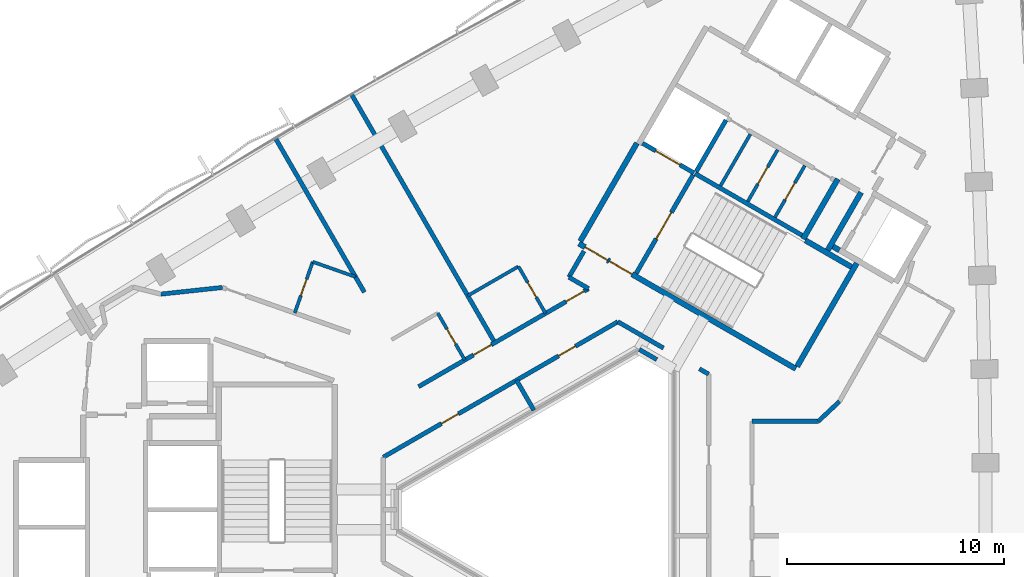
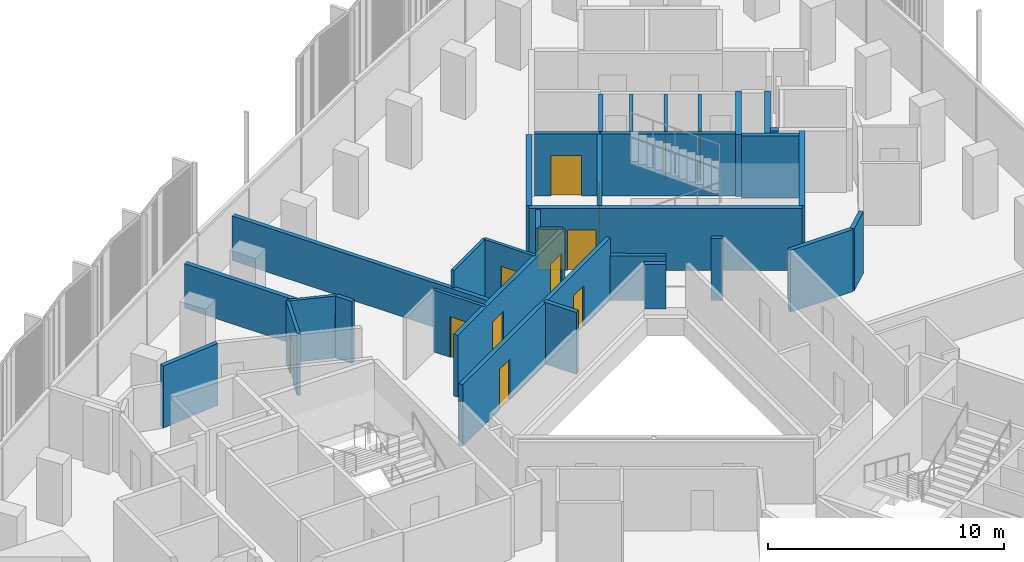
# One storey, part 10 of 14: 33 walls, 13 doors, 13 openings.
"""IFC4 building model written with IfcOpenShell, lengths in metres."""

from ifc_helpers import new_model, si_unit, direction, frame, frame_2d, origin, place, context, subcontext, project, spatial, rectangle, extrude, material, layer, layer_set, type_object, element, fill, save


model = new_model("IFC4")

# Units and contexts
model_context = context("Model", 3, precision=1e-05, world=origin(), true_north=direction((0.0, 1.0)))
body_context = subcontext(model_context, "Body", "Model", "MODEL_VIEW")
ifc_project = project(units=[si_unit("LENGTHUNIT", "METRE"), si_unit("AREAUNIT", "SQUARE_METRE"), si_unit("VOLUMEUNIT", "CUBIC_METRE"), si_unit("PLANEANGLEUNIT", "RADIAN"), si_unit("MASSUNIT", "GRAM", prefix="KILO")], contexts=[model_context])

# Site, building, storey
site_placement = place(None, origin())
site = spatial("IfcSite", under=ifc_project, at=site_placement, CompositionType="ELEMENT")
building_placement = place(site_placement, origin())
building = spatial("IfcBuilding", under=site, at=building_placement, Name="Tamra Quay Hotel Tower", CompositionType="ELEMENT")
storey_placement = place(building_placement, frame((0.0, 0.0, 150.39990234375)))
storey = spatial("IfcBuildingStorey", under=building, at=storey_placement, Name="L37", CompositionType="ELEMENT", Elevation=150.39990234375)

# Wall
ifc_material_1 = material(Name="Concrete M70", Category="concrete")
ifc_layer_1 = layer(ifc_material_1, 0.199951171875)
ifc_layer_set_1 = layer_set([ifc_layer_1], Name="Concrete M70 core wall 200")
wall_type_1 = type_object("IfcWallType", Name="Concrete M70 core wall 200", PredefinedType="SHEAR", material=ifc_layer_set_1)
wall_1_placement = place(storey_placement, frame((5.774658203125, 15.501953125, 0.0), z_axis=(0.0, 0.0, 1.0), x_axis=(0.866020080793, -0.500009219579, 0.0)))
element("IfcWall", 1, at=wall_1_placement, inside=storey, type_object=wall_type_1, Name="CW2", PredefinedType="SHEAR", context=body_context, shape_type="SweptSolid", body=[
    extrude(rectangle(XDim=5.69921875, YDim=0.199951171875, at=frame_2d((2.849609375, 0.0))), origin(), (0.0, 0.0, 1.0), 3.2001953125),
])

# Wall, opening, door
wall_2_placement = place(storey_placement, frame((3.056640625, 10.89453125, 0.0), z_axis=(0.0, 0.0, 1.0), x_axis=(0.499989418164, 0.866031513124, 0.0)))
wall_2 = element("IfcWall", 2, at=wall_2_placement, inside=storey, type_object=wall_type_1, Name="CW2", PredefinedType="SHEAR", context=body_context, shape_type="SweptSolid", body=[
    extrude(rectangle(XDim=5.2509765625, YDim=0.199951171875, at=frame_2d((2.62548828125, 0.0))), origin(), (0.0, 0.0, 1.0), 3.2001953125),
])
opening_1_placement = place(wall_2_placement, frame((1.84912109375, 0.0, 0.0)))
opening_1 = element("IfcOpeningElement", 3, at=opening_1_placement, cuts=wall_2, Name="Opening FD2", PredefinedType="OPENING", context=body_context, shape_type="SweptSolid", body=[
    extrude(rectangle(XDim=1.39990234375, YDim=2.10009765625, at=frame_2d((0.699951171875, 1.050048828125))), frame((0.0, 0.10986328125, 0.0), z_axis=(0.0, -1.0, 0.0), x_axis=(1.0, 0.0, 0.0)), (0.0, 0.0, 1.0), 0.219970703125),
])
ifc_material_2 = material(Name="Core door FD2 1400x2100 LH")
door_type_1 = type_object("IfcDoorType", Name="Core door FD2 1400x2100 LH", OperationType="NOTDEFINED", PredefinedType="DOOR", material=ifc_material_2)
door_1_placement = place(opening_1_placement, origin())
door_1 = element("IfcDoor", 4, at=door_1_placement, inside=storey, type_object=door_type_1, Name="FD2", OperationType="SINGLE_SWING_LEFT", OverallHeight=2.10009765625, OverallWidth=1.39990234375, PredefinedType="DOOR", context=body_context, shape_type="SweptSolid", body=[
    extrude(rectangle(XDim=1.39990234375, YDim=2.10009765625, at=frame_2d((0.699951171875, 1.050048828125))), frame((0.0, 0.02490234375, 0.0), z_axis=(0.0, -1.0, 0.0), x_axis=(1.0, 0.0, 0.0)), (0.0, 0.0, 1.0), 0.050048828125),
])
fill(opening_1, door_1)

# Wall
wall_3_placement = place(storey_placement, frame((7.199462890625, 17.969970703125, 0.0), z_axis=(0.0, 0.0, 1.0), x_axis=(-0.499968400327, -0.866043647095, 0.0)))
element("IfcWall", 5, at=wall_3_placement, inside=storey, type_object=wall_type_1, Name="CW2", PredefinedType="SHEAR", context=body_context, shape_type="SweptSolid", body=[
    extrude(rectangle(XDim=2.749755859375, YDim=0.199951171875, at=frame_2d((1.375, 0.0))), origin(), (0.0, 0.0, 1.0), 3.2001953125),
])

# Wall, opening, door
wall_4_placement = place(storey_placement, frame((5.72509765625, 15.530517578125, 0.0), z_axis=(0.0, 0.0, 1.0), x_axis=(-0.866037306777, 0.499979382845, 0.0)))
wall_4 = element("IfcWall", 6, at=wall_4_placement, inside=storey, type_object=wall_type_1, Name="CW2", PredefinedType="SHEAR", context=body_context, shape_type="SweptSolid", body=[
    extrude(rectangle(XDim=2.74169921875, YDim=0.199951171875, at=frame_2d((1.370849609375, 0.0))), origin(), (0.0, 0.0, 1.0), 3.2001953125),
])
opening_2_placement = place(wall_4_placement, frame((0.742919921875, 0.0, 0.0)))
opening_2 = element("IfcOpeningElement", 7, at=opening_2_placement, cuts=wall_4, Name="Opening LD", PredefinedType="OPENING", context=body_context, shape_type="SweptSolid", body=[
    extrude(rectangle(XDim=1.300048828125, YDim=2.10009765625, at=frame_2d((0.64990234375, 1.050048828125))), frame((0.0, 0.10986328125, 0.0), z_axis=(0.0, -1.0, 0.0), x_axis=(1.0, 0.0, 0.0)), (0.0, 0.0, 1.0), 0.219970703125),
])
ifc_material_3 = material(Name="Landing door LD 1300 sliding to left")
door_type_2 = type_object("IfcDoorType", Name="Landing door LD 1300 sliding to left", OperationType="NOTDEFINED", PredefinedType="DOOR", material=ifc_material_3)
door_2_placement = place(opening_2_placement, origin())
door_2 = element("IfcDoor", 8, at=door_2_placement, inside=storey, type_object=door_type_2, Name="LD", OperationType="SLIDING_TO_LEFT", OverallHeight=2.10009765625, OverallWidth=1.300048828125, PredefinedType="DOOR", context=body_context, shape_type="SweptSolid", body=[
    extrude(rectangle(XDim=1.300048828125, YDim=2.10009765625, at=frame_2d((0.64990234375, 1.050048828125))), frame((0.0, 0.02490234375, 0.0), z_axis=(0.0, -1.0, 0.0), x_axis=(1.0, 0.0, 0.0)), (0.0, 0.0, 1.0), 0.050048828125),
])
fill(opening_2, door_2)

# Wall, openings, doors
ifc_layer_2 = layer(ifc_material_1, 0.25)
ifc_layer_set_2 = layer_set([ifc_layer_2], Name="Concrete M70 core wall 250")
wall_type_2 = type_object("IfcWallType", Name="Concrete M70 core wall 250", PredefinedType="SHEAR", material=ifc_layer_set_2)
wall_5_placement = place(storey_placement, frame((10.419921875, 6.497802734375, 0.0), z_axis=(0.0, 0.0, 1.0), x_axis=(-0.866021906294, 0.500006057782, 0.0)))
wall_5 = element("IfcWall", 9, at=wall_5_placement, inside=storey, type_object=wall_type_2, Name="CW1", PredefinedType="SHEAR", context=body_context, shape_type="SweptSolid", body=[
    extrude(rectangle(XDim=11.550048828125, YDim=0.25, at=frame_2d((5.77490234375, 0.0))), origin(), (0.0, 0.0, 1.0), 3.2001953125),
])
opening_3_placement = place(wall_5_placement, frame((10.02490234375, 0.0, 0.0)))
opening_3 = element("IfcOpeningElement", 10, at=opening_3_placement, cuts=wall_5, Name="Opening FD1", PredefinedType="OPENING", context=body_context, shape_type="SweptSolid", body=[
    extrude(rectangle(XDim=1.199951171875, YDim=2.10009765625, at=frame_2d((0.60009765625, 1.050048828125))), frame((0.0, 0.135009765625, 0.0), z_axis=(0.0, -1.0, 0.0), x_axis=(1.0, 0.0, 0.0)), (0.0, 0.0, 1.0), 0.27001953125),
])
opening_4_placement = place(wall_5_placement, frame((8.724853515625, 0.0, 0.0)))
opening_4 = element("IfcOpeningElement", 11, at=opening_4_placement, cuts=wall_5, Name="Opening FD1", PredefinedType="OPENING", context=body_context, shape_type="SweptSolid", body=[
    extrude(rectangle(XDim=1.199951171875, YDim=2.10009765625, at=frame_2d((0.60009765625, 1.050048828125))), frame((0.0, 0.135009765625, 0.0), z_axis=(0.0, -1.0, 0.0), x_axis=(1.0, 0.0, 0.0)), (0.0, 0.0, 1.0), 0.27001953125),
])
ifc_material_4 = material(Name="Core door FD1 1200x2100 LH")
door_type_3 = type_object("IfcDoorType", Name="Core door FD1 1200x2100 LH", OperationType="NOTDEFINED", PredefinedType="DOOR", material=ifc_material_4)
door_3_placement = place(opening_3_placement, origin())
door_3 = element("IfcDoor", 12, at=door_3_placement, inside=storey, type_object=door_type_3, Name="FD1", OperationType="SINGLE_SWING_LEFT", OverallHeight=2.10009765625, OverallWidth=1.199951171875, PredefinedType="DOOR", context=body_context, shape_type="SweptSolid", body=[
    extrude(rectangle(XDim=1.199951171875, YDim=2.10009765625, at=frame_2d((0.60009765625, 1.050048828125))), frame((0.0, 0.02490234375, 0.0), z_axis=(0.0, -1.0, 0.0), x_axis=(1.0, 0.0, 0.0)), (0.0, 0.0, 1.0), 0.050048828125),
])
fill(opening_3, door_3)
ifc_material_5 = material(Name="Core door FD1 1200x2100 RH")
door_type_4 = type_object("IfcDoorType", Name="Core door FD1 1200x2100 RH", OperationType="NOTDEFINED", PredefinedType="DOOR", material=ifc_material_5)
door_4_placement = place(opening_4_placement, origin())
door_4 = element("IfcDoor", 13, at=door_4_placement, inside=storey, type_object=door_type_4, Name="FD1", OperationType="SINGLE_SWING_RIGHT", OverallHeight=2.10009765625, OverallWidth=1.199951171875, PredefinedType="DOOR", context=body_context, shape_type="SweptSolid", body=[
    extrude(rectangle(XDim=1.199951171875, YDim=2.10009765625, at=frame_2d((0.60009765625, 1.050048828125))), frame((0.0, 0.02490234375, 0.0), z_axis=(0.0, -1.0, 0.0), x_axis=(1.0, 0.0, 0.0)), (0.0, 0.0, 1.0), 0.050048828125),
])
fill(opening_4, door_4)

# Walls
wall_6_placement = place(storey_placement, frame((0.47998046875, 12.38134765625, 0.0), z_axis=(0.0, 0.0, 1.0), x_axis=(0.49999885962, 0.866026062182, 0.0)))
element("IfcWall", 14, at=wall_6_placement, inside=storey, type_object=wall_type_2, Name="CW1", PredefinedType="SHEAR", context=body_context, shape_type="SweptSolid", body=[
    extrude(rectangle(XDim=5.224609375, YDim=0.25, at=frame_2d((2.6123046875, 0.0))), origin(), (0.0, 0.0, 1.0), 3.2001953125),
])
wall_7_placement = place(storey_placement, frame((13.237548828125, 11.3779296875, 0.0), z_axis=(0.0, 0.0, 1.0), x_axis=(-0.500008851346, -0.866020293397, 0.0)))
element("IfcWall", 15, at=wall_7_placement, inside=storey, type_object=wall_type_2, Name="CW1", PredefinedType="SHEAR", context=body_context, shape_type="SweptSolid", body=[
    extrude(rectangle(XDim=5.509765625, YDim=0.25, at=frame_2d((2.7548828125, 0.0))), origin(), (0.0, 0.0, 1.0), 3.2001953125),
])
wall_8_placement = place(storey_placement, frame((12.356689453125, 15.25244140625, 0.0), z_axis=(0.0, 0.0, 1.0), x_axis=(-0.500028443584, -0.866008981251, 0.0)))
element("IfcWall", 16, at=wall_8_placement, inside=storey, type_object=wall_type_2, Name="CW1", PredefinedType="SHEAR", context=body_context, shape_type="SweptSolid", body=[
    extrude(rectangle(XDim=3.199951171875, YDim=0.25, at=frame_2d((1.60009765625, 0.0))), origin(), (0.0, 0.0, 1.0), 3.2001953125),
])
wall_9_placement = place(storey_placement, frame((11.887939453125, 11.960693359375, 0.0), z_axis=(0.0, 0.0, 1.0), x_axis=(0.500003324108, 0.866023484601, 0.0)))
element("IfcWall", 17, at=wall_9_placement, inside=storey, type_object=wall_type_2, Name="CW1", PredefinedType="SHEAR", context=body_context, shape_type="SweptSolid", body=[
    extrude(rectangle(XDim=3.0849609375, YDim=0.25, at=frame_2d((1.54248046875, 0.0))), origin(), (0.0, 0.0, 1.0), 3.2001953125),
])
wall_10_placement = place(storey_placement, frame((10.865234375, 12.41845703125, 0.0), z_axis=(0.0, 0.0, 1.0), x_axis=(0.866026229868, -0.499998569178, 0.0)))
element("IfcWall", 18, at=wall_10_placement, inside=storey, type_object=wall_type_2, Name="CW1", PredefinedType="SHEAR", context=body_context, shape_type="SweptSolid", body=[
    extrude(rectangle(XDim=2.44921875, YDim=0.25, at=frame_2d((1.224609375, 0.0))), origin(), (0.0, 0.0, 1.0), 3.2001953125),
])
wall_11_placement = place(storey_placement, frame((12.4326171875, 11.9638671875, 0.0), z_axis=(0.0, 0.0, 1.0), x_axis=(-0.866055875208, 0.499947218231, 0.0)))
element("IfcWall", 19, at=wall_11_placement, inside=storey, type_object=wall_type_2, Name="CW1", PredefinedType="SHEAR", context=body_context, shape_type="SweptSolid", body=[
    extrude(rectangle(XDim=0.3447265625, YDim=0.25, at=frame_2d((0.17236328125, 0.0))), origin(), (0.0, 0.0, 1.0), 3.2001953125),
])

# Wall, opening, door
ifc_material_6 = material(Name="Blockwork", Category="masonry")
ifc_layer_3 = layer(ifc_material_6, 0.14990234375)
ifc_layer_set_3 = layer_set([ifc_layer_3], Name="Core partition block 150")
wall_type_3 = type_object("IfcWallType", Name="Core partition block 150", PredefinedType="PARTITIONING", material=ifc_layer_set_3)
wall_12_placement = place(storey_placement, frame((9.462158203125, 13.4892578125, 0.0), z_axis=(0.0, 0.0, 1.0), x_axis=(0.50002746344, 0.86600954718, 0.0)))
wall_12 = element("IfcWall", 20, at=wall_12_placement, inside=storey, type_object=wall_type_3, Name="CP1", PredefinedType="PARTITIONING", context=body_context, shape_type="SweptSolid", body=[
    extrude(rectangle(XDim=2.748291015625, YDim=0.14990234375, at=frame_2d((1.3740234375, 0.0))), origin(), (0.0, 0.0, 1.0), 3.2001953125),
])
opening_5_placement = place(wall_12_placement, frame((0.92431640625, 0.0, 0.0)))
opening_5 = element("IfcOpeningElement", 21, at=opening_5_placement, cuts=wall_12, Name="Opening D2", PredefinedType="OPENING", context=body_context, shape_type="SweptSolid", body=[
    extrude(rectangle(XDim=0.89990234375, YDim=2.10009765625, at=frame_2d((0.449951171875, 1.050048828125))), frame((0.0, 0.0849609375, 0.0), z_axis=(0.0, -1.0, 0.0), x_axis=(1.0, 0.0, 0.0)), (0.0, 0.0, 1.0), 0.169921875),
])
ifc_material_7 = material(Name="Core door D2 900x2100 LH")
door_type_5 = type_object("IfcDoorType", Name="Core door D2 900x2100 LH", OperationType="NOTDEFINED", PredefinedType="DOOR", material=ifc_material_7)
door_5_placement = place(opening_5_placement, origin())
door_5 = element("IfcDoor", 22, at=door_5_placement, inside=storey, type_object=door_type_5, Name="D2", OperationType="SINGLE_SWING_LEFT", OverallHeight=2.10009765625, OverallWidth=0.89990234375, PredefinedType="DOOR", context=body_context, shape_type="SweptSolid", body=[
    extrude(rectangle(XDim=0.89990234375, YDim=2.10009765625, at=frame_2d((0.449951171875, 1.050048828125))), frame((0.0, 0.02490234375, 0.0), z_axis=(0.0, -1.0, 0.0), x_axis=(1.0, 0.0, 0.0)), (0.0, 0.0, 1.0), 0.050048828125),
])
fill(opening_5, door_5)

wall_13_placement = place(storey_placement, frame((8.20654296875, 14.214111328125, 0.0), z_axis=(0.0, 0.0, 1.0), x_axis=(0.499922376475, 0.866070215109, 0.0)))
wall_13 = element("IfcWall", 23, at=wall_13_placement, inside=storey, type_object=wall_type_3, Name="CP1", PredefinedType="PARTITIONING", context=body_context, shape_type="SweptSolid", body=[
    extrude(rectangle(XDim=2.74853515625, YDim=0.14990234375, at=frame_2d((1.374267578125, 0.0))), origin(), (0.0, 0.0, 1.0), 3.2001953125),
])
opening_6_placement = place(wall_13_placement, frame((0.92431640625, 0.0, 0.0)))
opening_6 = element("IfcOpeningElement", 24, at=opening_6_placement, cuts=wall_13, Name="Opening D2", PredefinedType="OPENING", context=body_context, shape_type="SweptSolid", body=[
    extrude(rectangle(XDim=0.89990234375, YDim=2.10009765625, at=frame_2d((0.449951171875, 1.050048828125))), frame((0.0, 0.0849609375, 0.0), z_axis=(0.0, -1.0, 0.0), x_axis=(1.0, 0.0, 0.0)), (0.0, 0.0, 1.0), 0.169921875),
])
ifc_material_8 = material(Name="Core door D2 900x2100 RH")
door_type_6 = type_object("IfcDoorType", Name="Core door D2 900x2100 RH", OperationType="NOTDEFINED", PredefinedType="DOOR", material=ifc_material_8)
door_6_placement = place(opening_6_placement, origin())
door_6 = element("IfcDoor", 25, at=door_6_placement, inside=storey, type_object=door_type_6, Name="D2", OperationType="SINGLE_SWING_RIGHT", OverallHeight=2.10009765625, OverallWidth=0.89990234375, PredefinedType="DOOR", context=body_context, shape_type="SweptSolid", body=[
    extrude(rectangle(XDim=0.89990234375, YDim=2.10009765625, at=frame_2d((0.449951171875, 1.050048828125))), frame((0.0, 0.02490234375, 0.0), z_axis=(0.0, -1.0, 0.0), x_axis=(1.0, 0.0, 0.0)), (0.0, 0.0, 1.0), 0.050048828125),
])
fill(opening_6, door_6)

# Walls
wall_14_placement = place(storey_placement, frame((6.95068359375, 14.939208984375, 0.0), z_axis=(0.0, 0.0, 1.0), x_axis=(0.50002746344, 0.86600954718, 0.0)))
element("IfcWall", 26, at=wall_14_placement, inside=storey, type_object=wall_type_3, Name="CP1", PredefinedType="PARTITIONING", context=body_context, shape_type="SweptSolid", body=[
    extrude(rectangle(XDim=2.748291015625, YDim=0.14990234375, at=frame_2d((1.3740234375, 0.0))), origin(), (0.0, 0.0, 1.0), 3.2001953125),
])
ifc_material_9 = material(Name="Partition corridor wall")
ifc_layer_4 = layer(ifc_material_9, 0.199951171875)
ifc_layer_set_4 = layer_set([ifc_layer_4], Name="Partition corridor wall")
wall_type_4 = type_object("IfcWallType", Name="Partition corridor wall", PredefinedType="PARTITIONING", material=ifc_layer_set_4)
wall_15_placement = place(storey_placement, frame((-18.864990234375, 9.94091796875, 0.0), z_axis=(0.0, 0.0, 1.0), x_axis=(0.99423123086, 0.107257911519, 0.0)))
element("IfcWall", 27, at=wall_15_placement, inside=storey, type_object=wall_type_4, Name="W-C", PredefinedType="PARTITIONING", context=body_context, shape_type="SweptSolid", body=[
    extrude(rectangle(XDim=2.854248046875, YDim=0.199951171875, at=frame_2d((1.42724609375, 0.0))), origin(), (0.0, 0.0, 1.0), 3.2001953125),
])

# Wall, openings, doors
wall_16_placement = place(storey_placement, frame((-8.61181640625, 2.417724609375, 0.0), z_axis=(0.0, 0.0, 1.0), x_axis=(0.866019033094, 0.500011034197, 0.0)))
wall_16 = element("IfcWall", 28, at=wall_16_placement, inside=storey, type_object=wall_type_4, Name="W-C", PredefinedType="PARTITIONING", context=body_context, shape_type="SweptSolid", body=[
    extrude(rectangle(XDim=12.498291015625, YDim=0.199951171875, at=frame_2d((6.2490234375, 0.0))), origin(), (0.0, 0.0, 1.0), 3.2001953125),
])
opening_7_placement = place(wall_16_placement, frame((9.346435546875, 0.0, 0.0)))
opening_7 = element("IfcOpeningElement", 29, at=opening_7_placement, cuts=wall_16, Name="Opening L37-D020", PredefinedType="OPENING", context=body_context, shape_type="SweptSolid", body=[
    extrude(rectangle(XDim=0.89990234375, YDim=2.10009765625, at=frame_2d((0.449951171875, 1.050048828125))), frame((0.0, 0.10986328125, 0.0), z_axis=(0.0, -1.0, 0.0), x_axis=(1.0, 0.0, 0.0)), (0.0, 0.0, 1.0), 0.219970703125),
])
opening_8_placement = place(wall_16_placement, frame((3.10888671875, 0.0, 0.0)))
opening_8 = element("IfcOpeningElement", 30, at=opening_8_placement, cuts=wall_16, Name="Opening L37-D021", PredefinedType="OPENING", context=body_context, shape_type="SweptSolid", body=[
    extrude(rectangle(XDim=0.89990234375, YDim=2.10009765625, at=frame_2d((0.449951171875, 1.050048828125))), frame((0.0, 0.10986328125, 0.0), z_axis=(0.0, -1.0, 0.0), x_axis=(1.0, 0.0, 0.0)), (0.0, 0.0, 1.0), 0.219970703125),
])
ifc_material_10 = material(Name="Door service room 900x2100")
door_type_7 = type_object("IfcDoorType", Name="Door service room 900x2100", OperationType="NOTDEFINED", PredefinedType="DOOR", material=ifc_material_10)
door_7_placement = place(opening_7_placement, frame((0.89990234375, 0.0, 0.0), z_axis=(0.0, 0.0, 1.0), x_axis=(-1.0, 0.0, 0.0)))
door_7 = element("IfcDoor", 31, at=door_7_placement, inside=storey, type_object=door_type_7, Name="L37-D020", OperationType="SINGLE_SWING_LEFT", OverallHeight=2.10009765625, OverallWidth=0.89990234375, PredefinedType="DOOR", context=body_context, shape_type="SweptSolid", body=[
    extrude(rectangle(XDim=0.89990234375, YDim=2.10009765625, at=frame_2d((0.449951171875, 1.050048828125))), frame((0.0, 0.02490234375, 0.0), z_axis=(0.0, -1.0, 0.0), x_axis=(1.0, 0.0, 0.0)), (0.0, 0.0, 1.0), 0.050048828125),
])
fill(opening_7, door_7)
door_8_placement = place(opening_8_placement, frame((0.89990234375, 0.0, 0.0), z_axis=(0.0, 0.0, 1.0), x_axis=(-1.0, 0.0, 0.0)))
door_8 = element("IfcDoor", 32, at=door_8_placement, inside=storey, type_object=door_type_7, Name="L37-D021", OperationType="SINGLE_SWING_LEFT", OverallHeight=2.10009765625, OverallWidth=0.89990234375, PredefinedType="DOOR", context=body_context, shape_type="SweptSolid", body=[
    extrude(rectangle(XDim=0.89990234375, YDim=2.10009765625, at=frame_2d((0.449951171875, 1.050048828125))), frame((0.0, 0.02490234375, 0.0), z_axis=(0.0, -1.0, 0.0), x_axis=(1.0, 0.0, 0.0)), (0.0, 0.0, 1.0), 0.050048828125),
])
fill(opening_8, door_8)

wall_17_placement = place(storey_placement, frame((-6.976318359375, 5.674072265625, 0.0), z_axis=(0.0, 0.0, 1.0), x_axis=(0.8661469583, 0.499789402276, 0.0)))
wall_17 = element("IfcWall", 33, at=wall_17_placement, inside=storey, type_object=wall_type_4, Name="W-C", PredefinedType="PARTITIONING", context=body_context, shape_type="SweptSolid", body=[
    extrude(rectangle(XDim=9.0498046875, YDim=0.199951171875, at=frame_2d((4.52490234375, 0.0))), origin(), (0.0, 0.0, 1.0), 3.2001953125),
])
opening_9_placement = place(wall_17_placement, frame((7.85205078125, 0.0, 0.0)))
opening_9 = element("IfcOpeningElement", 34, at=opening_9_placement, cuts=wall_17, Name="Opening L37-D005", PredefinedType="OPENING", context=body_context, shape_type="SweptSolid", body=[
    extrude(rectangle(XDim=0.949951171875, YDim=2.10009765625, at=frame_2d((0.47509765625, 1.050048828125))), frame((0.0, 0.10986328125, 0.0), z_axis=(0.0, -1.0, 0.0), x_axis=(1.0, 0.0, 0.0)), (0.0, 0.0, 1.0), 0.219970703125),
])
opening_10_placement = place(wall_17_placement, frame((2.923095703125, 0.0, 0.0)))
opening_10 = element("IfcOpeningElement", 35, at=opening_10_placement, cuts=wall_17, Name="Opening L37-D007", PredefinedType="OPENING", context=body_context, shape_type="SweptSolid", body=[
    extrude(rectangle(XDim=0.949951171875, YDim=2.10009765625, at=frame_2d((0.47509765625, 1.050048828125))), frame((0.0, 0.10986328125, 0.0), z_axis=(0.0, -1.0, 0.0), x_axis=(1.0, 0.0, 0.0)), (0.0, 0.0, 1.0), 0.219970703125),
])
ifc_material_11 = material(Name="Door guest room 950x2100")
door_type_8 = type_object("IfcDoorType", Name="Door guest room 950x2100", OperationType="NOTDEFINED", PredefinedType="DOOR", material=ifc_material_11)
door_9_placement = place(opening_9_placement, origin())
door_9 = element("IfcDoor", 36, at=door_9_placement, inside=storey, type_object=door_type_8, Name="L37-D005", OperationType="SINGLE_SWING_LEFT", OverallHeight=2.10009765625, OverallWidth=0.949951171875, PredefinedType="DOOR", context=body_context, shape_type="SweptSolid", body=[
    extrude(rectangle(XDim=0.949951171875, YDim=2.10009765625, at=frame_2d((0.47509765625, 1.050048828125))), frame((0.0, 0.02490234375, 0.0), z_axis=(0.0, -1.0, 0.0), x_axis=(1.0, 0.0, 0.0)), (0.0, 0.0, 1.0), 0.050048828125),
])
fill(opening_9, door_9)
door_10_placement = place(opening_10_placement, origin())
door_10 = element("IfcDoor", 37, at=door_10_placement, inside=storey, type_object=door_type_8, Name="L37-D007", OperationType="SINGLE_SWING_LEFT", OverallHeight=2.10009765625, OverallWidth=0.949951171875, PredefinedType="DOOR", context=body_context, shape_type="SweptSolid", body=[
    extrude(rectangle(XDim=0.949951171875, YDim=2.10009765625, at=frame_2d((0.47509765625, 1.050048828125))), frame((0.0, 0.02490234375, 0.0), z_axis=(0.0, -1.0, 0.0), x_axis=(1.0, 0.0, 0.0)), (0.0, 0.0, 1.0), 0.050048828125),
])
fill(opening_10, door_10)

# Walls
wall_18_placement = place(storey_placement, frame((-0.044921875, 10.720947265625, 0.0), z_axis=(0.0, 0.0, 1.0), x_axis=(0.865909943543, -0.500199929702, 0.0)))
element("IfcWall", 38, at=wall_18_placement, inside=storey, type_object=wall_type_4, Name="W-C", PredefinedType="PARTITIONING", context=body_context, shape_type="SweptSolid", body=[
    extrude(rectangle(XDim=1.04736328125, YDim=0.199951171875, at=frame_2d((0.523681640625, 0.0))), origin(), (0.0, 0.0, 1.0), 3.2001953125),
])
wall_19_placement = place(storey_placement, frame((-0.044921875, 10.721923828125, 0.0), z_axis=(0.0, 0.0, 1.0), x_axis=(0.500107785535, 0.865963164833, 0.0)))
element("IfcWall", 39, at=wall_19_placement, inside=storey, type_object=wall_type_4, Name="W-C", PredefinedType="PARTITIONING", context=body_context, shape_type="SweptSolid", body=[
    extrude(rectangle(XDim=1.389404296875, YDim=0.199951171875, at=frame_2d((0.69482421875, 0.0))), origin(), (0.0, 0.0, 1.0), 3.2001953125),
])
wall_20_placement = place(storey_placement, frame((2.212646484375, 8.66796875, 0.0), z_axis=(0.0, 0.0, 1.0), x_axis=(0.866001461921, -0.500041466232, 0.0)))
element("IfcWall", 40, at=wall_20_placement, inside=storey, type_object=wall_type_4, Name="W-C", PredefinedType="PARTITIONING", context=body_context, shape_type="SweptSolid", body=[
    extrude(rectangle(XDim=2.428955078125, YDim=0.199951171875, at=frame_2d((1.21435546875, 0.0))), origin(), (0.0, 0.0, 1.0), 2.300048828125),
])
wall_21_placement = place(storey_placement, frame((5.97412109375, 6.49609375, 0.0), z_axis=(0.0, 0.0, 1.0), x_axis=(0.865788603161, -0.500409926597, 0.0)))
element("IfcWall", 41, at=wall_21_placement, inside=storey, type_object=wall_type_4, Name="W-C", PredefinedType="PARTITIONING", context=body_context, shape_type="SweptSolid", body=[
    extrude(rectangle(XDim=0.49169921875, YDim=0.199951171875, at=frame_2d((0.245849609375, 0.0))), origin(), (0.0, 0.0, 1.0), 3.2001953125),
])
wall_22_placement = place(storey_placement, frame((8.39990234375, 4.077880859375, 0.0), z_axis=(0.0, 0.0, 1.0), x_axis=(1.0, 0.0, 0.0)))
element("IfcWall", 42, at=wall_22_placement, inside=storey, type_object=wall_type_4, Name="W-C", PredefinedType="PARTITIONING", context=body_context, shape_type="SweptSolid", body=[
    extrude(rectangle(XDim=3.05712890625, YDim=0.199951171875, at=frame_2d((1.528564453125, 0.0))), origin(), (0.0, 0.0, 1.0), 3.2001953125),
])
wall_23_placement = place(storey_placement, frame((11.4580078125, 4.077880859375, 0.0), z_axis=(0.0, 0.0, 1.0), x_axis=(0.729936032318, 0.683515463412, 0.0)))
element("IfcWall", 43, at=wall_23_placement, inside=storey, type_object=wall_type_4, Name="W-C", PredefinedType="PARTITIONING", context=body_context, shape_type="SweptSolid", body=[
    extrude(rectangle(XDim=1.3359375, YDim=0.199951171875, at=frame_2d((0.66796875, 0.0))), origin(), (0.0, 0.0, 1.0), 3.2001953125),
])

# Wall, opening, door
ifc_material_12 = material(Name="Partition en-suite wall")
ifc_layer_5 = layer(ifc_material_12, 0.14990234375)
ifc_layer_set_5 = layer_set([ifc_layer_5], Name="Partition en-suite wall")
wall_type_5 = type_object("IfcWallType", Name="Partition en-suite wall", PredefinedType="PARTITIONING", material=ifc_layer_set_5)
wall_24_placement = place(storey_placement, frame((-12.68798828125, 9.072021484375, 0.0), z_axis=(0.0, 0.0, 1.0), x_axis=(0.331941604797, 0.943299936926, 0.0)))
wall_24 = element("IfcWall", 44, at=wall_24_placement, inside=storey, type_object=wall_type_5, Name="W-E", PredefinedType="PARTITIONING", context=body_context, shape_type="SweptSolid", body=[
    extrude(rectangle(XDim=2.500732421875, YDim=0.14990234375, at=frame_2d((1.25048828125, 0.0))), origin(), (0.0, 0.0, 1.0), 3.2001953125),
])
opening_11_placement = place(wall_24_placement, frame((0.850341796875, 0.0, 0.0)))
opening_11 = element("IfcOpeningElement", 45, at=opening_11_placement, cuts=wall_24, Name="Opening L37-D011", PredefinedType="OPENING", context=body_context, shape_type="SweptSolid", body=[
    extrude(rectangle(XDim=0.800048828125, YDim=2.10009765625, at=frame_2d((0.39990234375, 1.050048828125))), frame((0.0, 0.0849609375, 0.0), z_axis=(0.0, -1.0, 0.0), x_axis=(1.0, 0.0, 0.0)), (0.0, 0.0, 1.0), 0.169921875),
])
ifc_material_13 = material(Name="Door en-suite 800x2100")
door_type_9 = type_object("IfcDoorType", Name="Door en-suite 800x2100", OperationType="NOTDEFINED", PredefinedType="DOOR", material=ifc_material_13)
door_11_placement = place(opening_11_placement, origin())
door_11 = element("IfcDoor", 46, at=door_11_placement, inside=storey, type_object=door_type_9, Name="L37-D011", OperationType="SINGLE_SWING_LEFT", OverallHeight=2.10009765625, OverallWidth=0.800048828125, PredefinedType="DOOR", context=body_context, shape_type="SweptSolid", body=[
    extrude(rectangle(XDim=0.800048828125, YDim=2.10009765625, at=frame_2d((0.39990234375, 1.050048828125))), frame((0.0, 0.02490234375, 0.0), z_axis=(0.0, -1.0, 0.0), x_axis=(1.0, 0.0, 0.0)), (0.0, 0.0, 1.0), 0.050048828125),
])
fill(opening_11, door_11)

# Wall
wall_25_placement = place(storey_placement, frame((-11.85791015625, 11.430908203125, 0.0), z_axis=(0.0, 0.0, 1.0), x_axis=(0.943162669368, -0.332331429617, 0.0)))
element("IfcWall", 47, at=wall_25_placement, inside=storey, type_object=wall_type_5, Name="W-E", PredefinedType="PARTITIONING", context=body_context, shape_type="SweptSolid", body=[
    extrude(rectangle(XDim=2.0908203125, YDim=0.14990234375, at=frame_2d((1.04541015625, 0.0))), origin(), (0.0, 0.0, 1.0), 3.2001953125),
])

# Wall, opening, door
wall_26_placement = place(storey_placement, frame((-6.093994140625, 9.068115234375, 0.0), z_axis=(0.0, 0.0, 1.0), x_axis=(0.500004234368, -0.866022959057, 0.0)))
wall_26 = element("IfcWall", 48, at=wall_26_placement, inside=storey, type_object=wall_type_5, Name="W-E", PredefinedType="PARTITIONING", context=body_context, shape_type="SweptSolid", body=[
    extrude(rectangle(XDim=2.5, YDim=0.14990234375, at=frame_2d((1.25, 0.0))), origin(), (0.0, 0.0, 1.0), 3.2001953125),
])
opening_12_placement = place(wall_26_placement, frame((0.85009765625, 0.0, 0.0)))
opening_12 = element("IfcOpeningElement", 49, at=opening_12_placement, cuts=wall_26, Name="Opening L37-D008", PredefinedType="OPENING", context=body_context, shape_type="SweptSolid", body=[
    extrude(rectangle(XDim=0.800048828125, YDim=2.10009765625, at=frame_2d((0.39990234375, 1.050048828125))), frame((0.0, 0.0849609375, 0.0), z_axis=(0.0, -1.0, 0.0), x_axis=(1.0, 0.0, 0.0)), (0.0, 0.0, 1.0), 0.169921875),
])
door_12_placement = place(opening_12_placement, frame((0.800048828125, 0.0, 0.0), z_axis=(0.0, 0.0, 1.0), x_axis=(-1.0, 0.0, 0.0)))
door_12 = element("IfcDoor", 50, at=door_12_placement, inside=storey, type_object=door_type_9, Name="L37-D008", OperationType="SINGLE_SWING_LEFT", OverallHeight=2.10009765625, OverallWidth=0.800048828125, PredefinedType="DOOR", context=body_context, shape_type="SweptSolid", body=[
    extrude(rectangle(XDim=0.800048828125, YDim=2.10009765625, at=frame_2d((0.39990234375, 1.050048828125))), frame((0.0, 0.02490234375, 0.0), z_axis=(0.0, -1.0, 0.0), x_axis=(1.0, 0.0, 0.0)), (0.0, 0.0, 1.0), 0.050048828125),
])
fill(opening_12, door_12)

# Wall
wall_27_placement = place(storey_placement, frame((-4.7080078125, 9.867919921875, 0.0), z_axis=(0.0, 0.0, 1.0), x_axis=(0.865950438779, 0.500129820725, 0.0)))
element("IfcWall", 51, at=wall_27_placement, inside=storey, type_object=wall_type_5, Name="W-E", PredefinedType="PARTITIONING", context=body_context, shape_type="SweptSolid", body=[
    extrude(rectangle(XDim=2.697509765625, YDim=0.14990234375, at=frame_2d((1.3486328125, 0.0))), origin(), (0.0, 0.0, 1.0), 3.2001953125),
])

# Wall, opening, door
wall_28_placement = place(storey_placement, frame((-2.368896484375, 11.216064453125, 0.0), z_axis=(0.0, 0.0, 1.0), x_axis=(0.499852268047, -0.866110680068, 0.0)))
wall_28 = element("IfcWall", 52, at=wall_28_placement, inside=storey, type_object=wall_type_5, Name="W-E", PredefinedType="PARTITIONING", context=body_context, shape_type="SweptSolid", body=[
    extrude(rectangle(XDim=2.496337890625, YDim=0.14990234375, at=frame_2d((1.248046875, 0.0))), origin(), (0.0, 0.0, 1.0), 3.2001953125),
])
opening_13_placement = place(wall_28_placement, frame((0.847900390625, 0.0, 0.0)))
opening_13 = element("IfcOpeningElement", 53, at=opening_13_placement, cuts=wall_28, Name="Opening L37-D006", PredefinedType="OPENING", context=body_context, shape_type="SweptSolid", body=[
    extrude(rectangle(XDim=0.800048828125, YDim=2.10009765625, at=frame_2d((0.39990234375, 1.050048828125))), frame((0.0, 0.0849609375, 0.0), z_axis=(0.0, -1.0, 0.0), x_axis=(1.0, 0.0, 0.0)), (0.0, 0.0, 1.0), 0.169921875),
])
door_13_placement = place(opening_13_placement, origin())
door_13 = element("IfcDoor", 54, at=door_13_placement, inside=storey, type_object=door_type_9, Name="L37-D006", OperationType="SINGLE_SWING_LEFT", OverallHeight=2.10009765625, OverallWidth=0.800048828125, PredefinedType="DOOR", context=body_context, shape_type="SweptSolid", body=[
    extrude(rectangle(XDim=0.800048828125, YDim=2.10009765625, at=frame_2d((0.39990234375, 1.050048828125))), frame((0.0, 0.02490234375, 0.0), z_axis=(0.0, -1.0, 0.0), x_axis=(1.0, 0.0, 0.0)), (0.0, 0.0, 1.0), 0.050048828125),
])
fill(opening_13, door_13)

# Walls
ifc_material_14 = material(Name="Partition party wall")
ifc_layer_6 = layer(ifc_material_14, 0.199951171875)
ifc_layer_set_6 = layer_set([ifc_layer_6], Name="Partition party wall")
wall_type_6 = type_object("IfcWallType", Name="Partition party wall", PredefinedType="PARTITIONING", material=ifc_layer_set_6)
wall_29_placement = place(storey_placement, frame((-13.572509765625, 17.1220703125, 0.0), z_axis=(0.0, 0.0, 1.0), x_axis=(0.49998952864, -0.866031449343, 0.0)))
element("IfcWall", 55, at=wall_29_placement, inside=storey, type_object=wall_type_6, Name="W-P", PredefinedType="PARTITIONING", context=body_context, shape_type="SweptSolid", body=[
    extrude(rectangle(XDim=7.385498046875, YDim=0.199951171875, at=frame_2d((3.69287109375, 0.0))), origin(), (0.0, 0.0, 1.0), 2.300048828125),
])
wall_30_placement = place(storey_placement, frame((-10.070556640625, 19.157958984375, 0.0), z_axis=(0.0, 0.0, 1.0), x_axis=(0.499905140254, -0.866080164158, 0.0)))
element("IfcWall", 56, at=wall_30_placement, inside=storey, type_object=wall_type_6, Name="W-P", PredefinedType="PARTITIONING", context=body_context, shape_type="SweptSolid", body=[
    extrude(rectangle(XDim=13.2265625, YDim=0.199951171875, at=frame_2d((6.61328125, 0.0))), origin(), (0.0, 0.0, 1.0), 2.300048828125),
])
wall_31_placement = place(storey_placement, frame((-9.879638671875, 10.72607421875, 0.0), z_axis=(0.0, 0.0, 1.0), x_axis=(0.499626274598, -0.866241066754, 0.0)))
element("IfcWall", 57, at=wall_31_placement, inside=storey, type_object=wall_type_6, Name="W-P", PredefinedType="PARTITIONING", context=body_context, shape_type="SweptSolid", body=[
    extrude(rectangle(XDim=0.8056640625, YDim=0.199951171875, at=frame_2d((0.40283203125, 0.0))), origin(), (0.0, 0.0, 1.0), 3.2001953125),
])
wall_32_placement = place(storey_placement, frame((-2.458740234375, 5.970458984375, 0.0), z_axis=(0.0, 0.0, 1.0), x_axis=(0.499898632315, -0.866083920535, 0.0)))
element("IfcWall", 58, at=wall_32_placement, inside=storey, type_object=wall_type_6, Name="W-P", PredefinedType="PARTITIONING", context=body_context, shape_type="SweptSolid", body=[
    extrude(rectangle(XDim=1.599365234375, YDim=0.199951171875, at=frame_2d((0.7998046875, 0.0))), origin(), (0.0, 0.0, 1.0), 3.2001953125),
])
wall_33_placement = place(storey_placement, frame((3.199951171875, 7.389892578125, 0.0), z_axis=(0.0, 0.0, 1.0), x_axis=(0.865985641702, -0.500068863623, 0.0)))
element("IfcWall", 59, at=wall_33_placement, inside=storey, type_object=wall_type_6, Name="W-P", PredefinedType="PARTITIONING", context=body_context, shape_type="SweptSolid", body=[
    extrude(rectangle(XDim=0.935302734375, YDim=0.199951171875, at=frame_2d((0.4677734375, 0.0))), origin(), (0.0, 0.0, 1.0), 2.300048828125),
])

save(model, "model.ifc")
